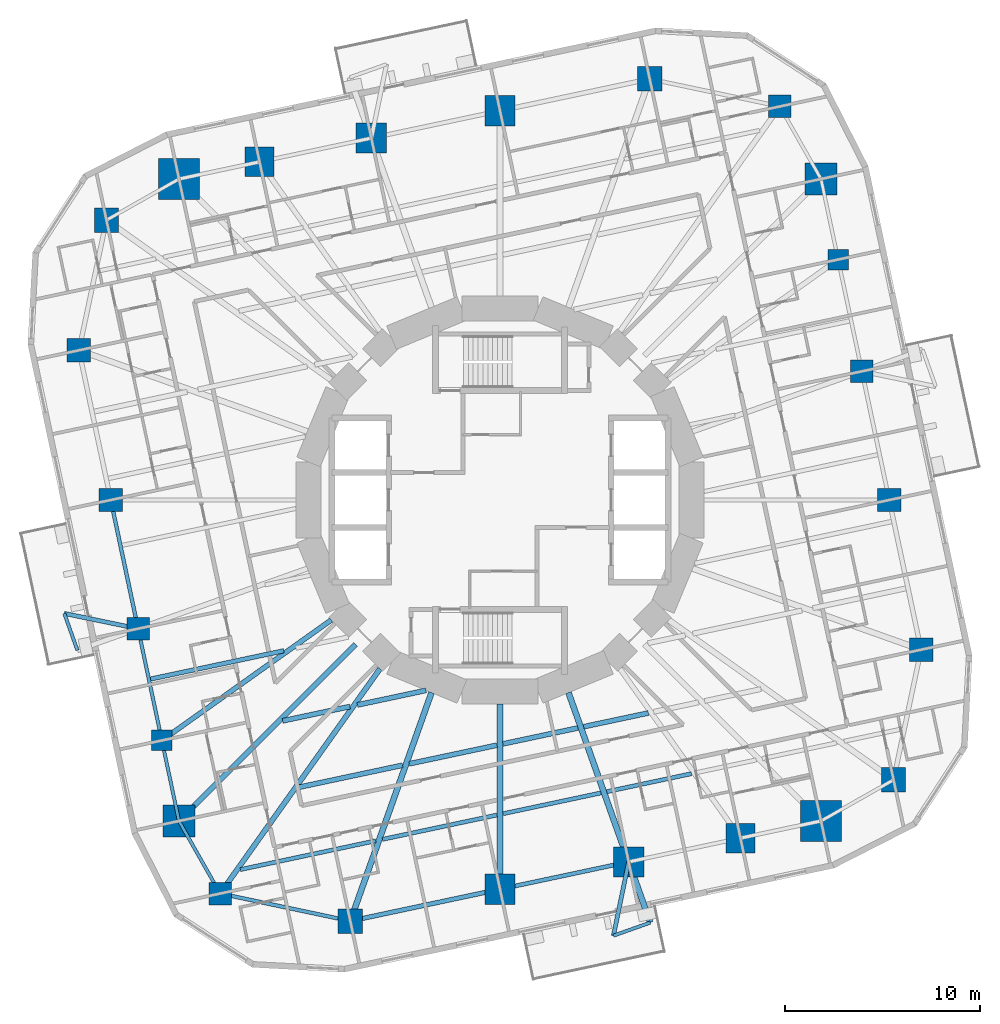
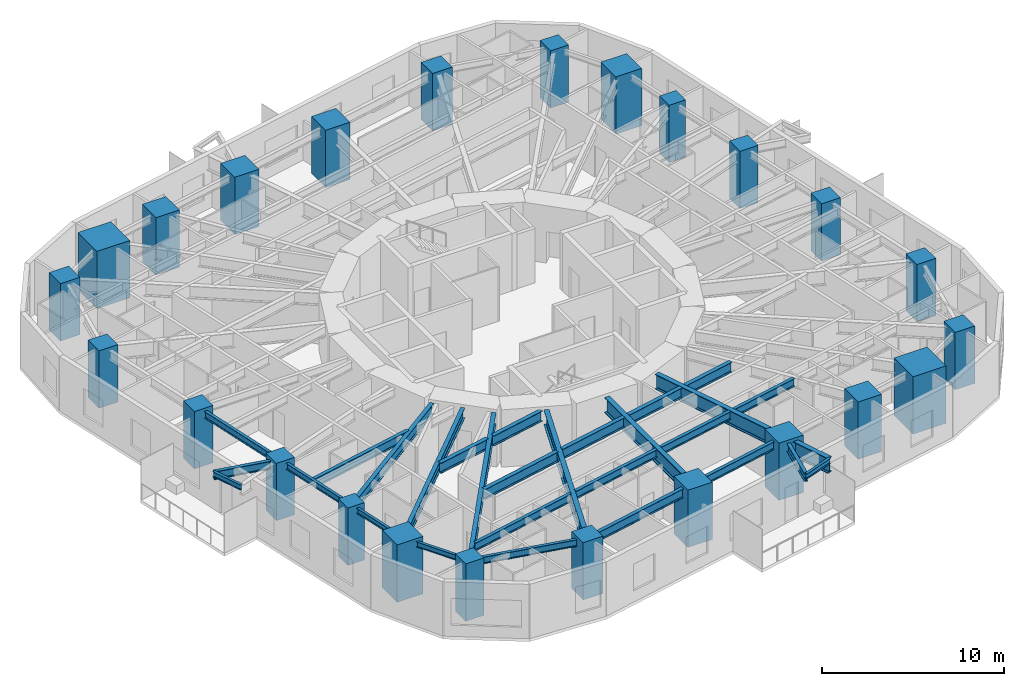
# One storey, part 1 of 14: 28 beams, 24 columns.
"""IFC4 building model written with IfcOpenShell, lengths in metres."""

from ifc_helpers import new_model, si_unit, direction, frame, origin, origin_2d, place, context, subcontext, project, spatial, rectangle, i_section, extrude, material, material_profile, profile_set, type_object, element, save


model = new_model("IFC4")

# Units and contexts
model_context = context("Model", 3, precision=1e-05, world=origin(), true_north=direction((0.0, 1.0)))
body_context = subcontext(model_context, "Body", "Model", "MODEL_VIEW")
ifc_project = project(units=[si_unit("LENGTHUNIT", "METRE"), si_unit("AREAUNIT", "SQUARE_METRE"), si_unit("VOLUMEUNIT", "CUBIC_METRE"), si_unit("PLANEANGLEUNIT", "RADIAN"), si_unit("MASSUNIT", "GRAM", prefix="KILO")], contexts=[model_context])

# Site, building, storey
site_placement = place(None, origin())
site = spatial("IfcSite", under=ifc_project, at=site_placement, CompositionType="ELEMENT")
building_placement = place(site_placement, origin())
building = spatial("IfcBuilding", under=site, at=building_placement, Name="Nakasero Lantern House", CompositionType="ELEMENT")
storey_placement = place(building_placement, frame((0.0, 0.0, 120.39990234375)))
storey = spatial("IfcBuildingStorey", under=building, at=storey_placement, Name="L29", CompositionType="ELEMENT", Elevation=120.39990234375)

# Columns
ifc_material_1 = material(Name="Concrete C50/60", Category="concrete")
ifc_material_profile_1 = material_profile(ifc_material_1, rectangle(XDim=1.64990234375, YDim=1.64990234375, at=origin_2d()), Name="RC 1650x1650")
ifc_profile_set_1 = profile_set([ifc_material_profile_1], Name="Concrete C50/60")
column_type_1 = type_object("IfcColumnType", Name="Mega column RC 1650x1650 C50/60", PredefinedType="COLUMN", material=ifc_profile_set_1)
for number, where, z_axis, x_axis, name in (
    (1, (16.44091796875, 16.44091796875, 0.0), (0.0, 0.0, 1.0), (1.0, 0.0, 0.0), "Column B3-C06 L29"),
    (2, (-16.44091796875, -16.44091796875, 0.0), (0.0, 0.0, 1.0), (1.0, 0.0, 0.0), "Column B3-C18 L29"),
):
    element("IfcColumn", number, at=place(storey_placement, frame(where, z_axis=z_axis, x_axis=x_axis)), inside=storey, type_object=column_type_1, Name=name, PredefinedType="COLUMN", context=body_context, shape_type="SweptSolid", body=[
        extrude(rectangle(XDim=1.64990234375, YDim=1.64990234375, at=origin_2d()), origin(), (0.0, 0.0, 1.0), 3.85009765625),
    ])
ifc_material_2 = material(Name="Concrete C50/60", Category="concrete")
ifc_material_profile_2 = material_profile(ifc_material_2, rectangle(XDim=2.10009765625, YDim=2.10009765625, at=origin_2d()), Name="RC 2100x2100")
ifc_profile_set_2 = profile_set([ifc_material_profile_2], Name="Concrete C50/60")
column_type_2 = type_object("IfcColumnType", Name="Mega column RC 2100x2100 C50/60", PredefinedType="COLUMN", material=ifc_profile_set_2)
for number, where, z_axis, x_axis, name in (
    (3, (-16.44091796875, 16.44091796875, 0.0), (0.0, 0.0, 1.0), (1.0, 0.0, 0.0), "Column B3-C12 L29"),
    (4, (16.44091796875, -16.44091796875, 0.0), (0.0, 0.0, 1.0), (1.0, 0.0, 0.0), "Column B3-C24 L29"),
):
    element("IfcColumn", number, at=place(storey_placement, frame(where, z_axis=z_axis, x_axis=x_axis)), inside=storey, type_object=column_type_2, Name=name, PredefinedType="COLUMN", context=body_context, shape_type="SweptSolid", body=[
        extrude(rectangle(XDim=2.10009765625, YDim=2.10009765625, at=origin_2d()), origin(), (0.0, 0.0, 1.0), 3.85009765625),
    ])
ifc_material_3 = material(Name="Concrete C50/60", Category="concrete")
ifc_material_profile_3 = material_profile(ifc_material_3, rectangle(XDim=1.050048828125, YDim=1.050048828125, at=origin_2d()), Name="RC 1050x1050")
ifc_profile_set_3 = profile_set([ifc_material_profile_3], Name="Concrete C50/60")
column_type_3 = type_object("IfcColumnType", Name="Ring column RC 1050x1050 C50/60", PredefinedType="COLUMN", material=ifc_profile_set_3)
for number, where, z_axis, x_axis, name in (
    (5, (17.318115234375, 12.31494140625, 0.0), (0.0, 0.0, 1.0), (1.0, 0.0, 0.0), "Column B3-C05 L29"),
    (6, (-17.318115234375, -12.31494140625, 0.0), (0.0, 0.0, 1.0), (1.0, 0.0, 0.0), "Column B3-C17 L29"),
):
    element("IfcColumn", number, at=place(storey_placement, frame(where, z_axis=z_axis, x_axis=x_axis)), inside=storey, type_object=column_type_3, Name=name, PredefinedType="COLUMN", context=body_context, shape_type="SweptSolid", body=[
        extrude(rectangle(XDim=1.050048828125, YDim=1.050048828125, at=origin_2d()), origin(), (0.0, 0.0, 1.0), 3.85009765625),
    ])
ifc_material_4 = material(Name="Concrete C50/60", Category="concrete")
ifc_material_profile_4 = material_profile(ifc_material_4, rectangle(XDim=1.14990234375, YDim=1.14990234375, at=origin_2d()), Name="RC 1150x1150")
ifc_profile_set_4 = profile_set([ifc_material_profile_4], Name="Concrete C50/60")
column_type_4 = type_object("IfcColumnType", Name="Ring column RC 1150x1150 C50/60", PredefinedType="COLUMN", material=ifc_profile_set_4)
for number, where, z_axis, x_axis, name in (
    (7, (18.534912109375, 6.590087890625, 0.0), (0.0, 0.0, 1.0), (1.0, 0.0, 0.0), "Column B3-C04 L29"),
    (8, (14.33349609375, 20.15625, 0.0), (0.0, 0.0, 1.0), (1.0, 0.0, 0.0), "Column B3-C07 L29"),
    (9, (-18.534912109375, -6.590087890625, 0.0), (0.0, 0.0, 1.0), (1.0, 0.0, 0.0), "Column B3-C16 L29"),
    (10, (-14.33349609375, -20.15625, 0.0), (0.0, 0.0, 1.0), (1.0, 0.0, 0.0), "Column B3-C19 L29"),
):
    element("IfcColumn", number, at=place(storey_placement, frame(where, z_axis=z_axis, x_axis=x_axis)), inside=storey, type_object=column_type_4, Name=name, PredefinedType="COLUMN", context=body_context, shape_type="SweptSolid", body=[
        extrude(rectangle(XDim=1.14990234375, YDim=1.14990234375, at=origin_2d()), origin(), (0.0, 0.0, 1.0), 3.85009765625),
    ])
ifc_material_5 = material(Name="Concrete C50/60", Category="concrete")
ifc_material_profile_5 = material_profile(ifc_material_5, rectangle(XDim=1.199951171875, YDim=1.199951171875, at=origin_2d()), Name="RC 1200x1200")
ifc_profile_set_5 = profile_set([ifc_material_profile_5], Name="Concrete C50/60")
column_type_5 = type_object("IfcColumnType", Name="Ring column RC 1200x1200 C50/60", PredefinedType="COLUMN", material=ifc_profile_set_5)
for number, where, z_axis, x_axis, name in (
    (11, (21.5654296875, -7.667724609375, 0.0), (0.0, 0.0, 1.0), (1.0, 0.0, 0.0), "Column B3-C02 L29"),
    (12, (19.935546875, 0.0, 0.0), (0.0, 0.0, 1.0), (1.0, 0.0, 0.0), "Column B3-C03 L29"),
    (13, (-21.5654296875, 7.667724609375, 0.0), (0.0, 0.0, 1.0), (1.0, 0.0, 0.0), "Column B3-C14 L29"),
    (14, (-19.935546875, 0.0, 0.0), (0.0, 0.0, 1.0), (1.0, 0.0, 0.0), "Column B3-C15 L29"),
):
    element("IfcColumn", number, at=place(storey_placement, frame(where, z_axis=z_axis, x_axis=x_axis)), inside=storey, type_object=column_type_5, Name=name, PredefinedType="COLUMN", context=body_context, shape_type="SweptSolid", body=[
        extrude(rectangle(XDim=1.199951171875, YDim=1.199951171875, at=origin_2d()), origin(), (0.0, 0.0, 1.0), 3.85009765625),
    ])
ifc_material_6 = material(Name="Concrete C50/60", Category="concrete")
ifc_material_profile_6 = material_profile(ifc_material_6, rectangle(XDim=1.25, YDim=1.25, at=origin_2d()), Name="RC 1250x1250")
ifc_profile_set_6 = profile_set([ifc_material_profile_6], Name="Concrete C50/60")
column_type_6 = type_object("IfcColumnType", Name="Ring column RC 1250x1250 C50/60", PredefinedType="COLUMN", material=ifc_profile_set_6)
for number, where, z_axis, x_axis, name in (
    (15, (20.15625, -14.33349609375, 0.0), (0.0, 0.0, 1.0), (1.0, 0.0, 0.0), "Column B3-C01 L29"),
    (16, (7.667724609375, 21.5654296875, 0.0), (0.0, 0.0, 1.0), (1.0, 0.0, 0.0), "Column B3-C08 L29"),
    (17, (-20.15625, 14.33349609375, 0.0), (0.0, 0.0, 1.0), (1.0, 0.0, 0.0), "Column B3-C13 L29"),
    (18, (-7.667724609375, -21.5654296875, 0.0), (0.0, 0.0, 1.0), (1.0, 0.0, 0.0), "Column B3-C20 L29"),
):
    element("IfcColumn", number, at=place(storey_placement, frame(where, z_axis=z_axis, x_axis=x_axis)), inside=storey, type_object=column_type_6, Name=name, PredefinedType="COLUMN", context=body_context, shape_type="SweptSolid", body=[
        extrude(rectangle(XDim=1.25, YDim=1.25, at=origin_2d()), origin(), (0.0, 0.0, 1.0), 3.85009765625),
    ])
ifc_material_7 = material(Name="Concrete C50/60", Category="concrete")
ifc_material_profile_7 = material_profile(ifc_material_7, rectangle(XDim=1.5, YDim=1.5, at=origin_2d()), Name="RC 1500x1500")
ifc_profile_set_7 = profile_set([ifc_material_profile_7], Name="Concrete C50/60")
column_type_7 = type_object("IfcColumnType", Name="Ring column RC 1500x1500 C50/60", PredefinedType="COLUMN", material=ifc_profile_set_7)
for number, where, z_axis, x_axis, name in (
    (19, (-12.31494140625, 17.318115234375, 0.0), (0.0, 0.0, 1.0), (1.0, 0.0, 0.0), "Column B3-C11 L29"),
    (20, (12.31494140625, -17.318115234375, 0.0), (0.0, 0.0, 1.0), (1.0, 0.0, 0.0), "Column B3-C23 L29"),
):
    element("IfcColumn", number, at=place(storey_placement, frame(where, z_axis=z_axis, x_axis=x_axis)), inside=storey, type_object=column_type_7, Name=name, PredefinedType="COLUMN", context=body_context, shape_type="SweptSolid", body=[
        extrude(rectangle(XDim=1.5, YDim=1.5, at=origin_2d()), origin(), (0.0, 0.0, 1.0), 3.85009765625),
    ])
ifc_material_8 = material(Name="Concrete C50/60", Category="concrete")
ifc_material_profile_8 = material_profile(ifc_material_8, rectangle(XDim=1.550048828125, YDim=1.550048828125, at=origin_2d()), Name="RC 1550x1550")
ifc_profile_set_8 = profile_set([ifc_material_profile_8], Name="Concrete C50/60")
column_type_8 = type_object("IfcColumnType", Name="Ring column RC 1550x1550 C50/60", PredefinedType="COLUMN", material=ifc_profile_set_8)
for number, where, z_axis, x_axis, name in (
    (21, (0.0, 19.935546875, 0.0), (0.0, 0.0, 1.0), (1.0, 0.0, 0.0), "Column B3-C09 L29"),
    (22, (-6.590087890625, 18.534912109375, 0.0), (0.0, 0.0, 1.0), (1.0, 0.0, 0.0), "Column B3-C10 L29"),
    (23, (0.0, -19.935546875, 0.0), (0.0, 0.0, 1.0), (1.0, 0.0, 0.0), "Column B3-C21 L29"),
    (24, (6.590087890625, -18.534912109375, 0.0), (0.0, 0.0, 1.0), (1.0, 0.0, 0.0), "Column B3-C22 L29"),
):
    element("IfcColumn", number, at=place(storey_placement, frame(where, z_axis=z_axis, x_axis=x_axis)), inside=storey, type_object=column_type_8, Name=name, PredefinedType="COLUMN", context=body_context, shape_type="SweptSolid", body=[
        extrude(rectangle(XDim=1.550048828125, YDim=1.550048828125, at=origin_2d()), origin(), (0.0, 0.0, 1.0), 3.85009765625),
    ])

# Beams
ifc_material_9 = material(Name="Steel S355", Category="steel")
ifc_material_profile_9 = material_profile(ifc_material_9, i_section(OverallWidth=0.2138671875, OverallDepth=0.549072265625, WebThickness=0.0146484375, FlangeThickness=0.023681640625, FilletRadius=0.0126953125, at=origin_2d()), Name="UB 533x210x138")
ifc_profile_set_9 = profile_set([ifc_material_profile_9], Name="Steel S355")
beam_type_1 = type_object("IfcBeamType", Name="Balcony splay beam UB 533x210x138", PredefinedType="BEAM", material=ifc_profile_set_9)
for number, where, z_axis, x_axis, name in (
    (25, (-18.534912109375, -6.590087890625, 3.37548828125), (-0.979420272605, 0.201831438605, 0.0), (-0.201831438605, -0.979420272605, 0.0), "Balcony splay beam L30 B3-C16A"),
    (26, (6.590087890625, -18.534912109375, 3.37548828125), (-0.201831438605, -0.979420272605, 0.0), (0.979420272605, -0.201831438605, 0.0), "Balcony splay beam L30 B3-C22A"),
):
    element("IfcBeam", number, at=place(storey_placement, frame(where, z_axis=z_axis, x_axis=x_axis)), inside=storey, type_object=beam_type_1, Name=name, PredefinedType="BEAM", context=body_context, shape_type="SweptSolid", body=[
        extrude(i_section(OverallWidth=0.2138671875, OverallDepth=0.549072265625, WebThickness=0.0146484375, FlangeThickness=0.023681640625, FilletRadius=0.0126953125, at=origin_2d()), origin(), (0.0, 0.0, 1.0), 3.858642578125),
    ])
ifc_material_10 = material(Name="Steel S355", Category="steel")
ifc_material_profile_10 = material_profile(ifc_material_10, i_section(OverallWidth=0.17138671875, OverallDepth=0.35498046875, WebThickness=0.00732421875, FlangeThickness=0.011474609375, FilletRadius=0.01025390625, at=origin_2d()), Name="UB 356x171x51")
ifc_profile_set_10 = profile_set([ifc_material_profile_10], Name="Steel S355")
beam_type_2 = type_object("IfcBeamType", Name="Balcony tie beam UB 356x171x51", PredefinedType="BEAM", material=ifc_profile_set_10)
for number, where, z_axis, x_axis, name in (
    (27, (-22.314208984375, -5.811279296875, 3.47265625), (0.335060236487, -0.942196708721, 0.0), (0.942196708721, 0.335060236487, 0.0), "Balcony tie beam L30 B3-C16"),
    (28, (5.811279296875, -22.314208984375, 3.47265625), (0.942196708721, 0.335060236487, 0.0), (-0.335060236487, 0.942196708721, 0.0), "Balcony tie beam L30 B3-C22"),
):
    element("IfcBeam", number, at=place(storey_placement, frame(where, z_axis=z_axis, x_axis=x_axis)), inside=storey, type_object=beam_type_2, Name=name, PredefinedType="BEAM", context=body_context, shape_type="SweptSolid", body=[
        extrude(i_section(OverallWidth=0.17138671875, OverallDepth=0.35498046875, WebThickness=0.00732421875, FlangeThickness=0.011474609375, FilletRadius=0.01025390625, at=origin_2d()), origin(), (0.0, 0.0, 1.0), 2.000244140625),
    ])
ifc_material_11 = material(Name="Steel S355", Category="steel")
ifc_material_profile_11 = material_profile(ifc_material_11, i_section(OverallWidth=0.2099609375, OverallDepth=0.53662109375, WebThickness=0.0107421875, FlangeThickness=0.017333984375, FilletRadius=0.0126953125, at=origin_2d()), Name="UB 533x210x101")
ifc_profile_set_11 = profile_set([ifc_material_profile_11], Name="Steel S355")
beam_type_3 = type_object("IfcBeamType", Name="Infill beam UB 533x210x101", PredefinedType="JOIST", material=ifc_profile_set_11)
beam_1_placement = place(storey_placement, frame((-13.29638671875, -18.927978515625, 3.3818359375), z_axis=(0.978149480204, 0.207902848411, 0.0), x_axis=(-0.207902848411, 0.978149480204, 0.0)))
element("IfcBeam", 29, at=beam_1_placement, inside=storey, type_object=beam_type_3, Name="Infill beam L30 03.1", PredefinedType="JOIST", context=body_context, shape_type="SweptSolid", body=[
    extrude(i_section(OverallWidth=0.2099609375, OverallDepth=0.53662109375, WebThickness=0.0107421875, FlangeThickness=0.017333984375, FilletRadius=0.0126953125, at=origin_2d()), origin(), (0.0, 0.0, 1.0), 7.085693359375),
])
beam_2_placement = place(storey_placement, frame((-6.02099609375, -17.381591796875, 3.3818359375), z_axis=(0.978149438519, 0.207903044531, 0.0), x_axis=(-0.207903044531, 0.978149438519, 0.0)))
element("IfcBeam", 30, at=beam_2_placement, inside=storey, type_object=beam_type_3, Name="Infill beam L30 03.2", PredefinedType="JOIST", context=body_context, shape_type="SweptSolid", body=[
    extrude(i_section(OverallWidth=0.2099609375, OverallDepth=0.53662109375, WebThickness=0.0107421875, FlangeThickness=0.017333984375, FilletRadius=0.0126953125, at=origin_2d()), origin(), (0.0, 0.0, 1.0), 5.99951171875),
])
beam_3_placement = place(storey_placement, frame((0.152587890625, -16.0693359375, 3.3818359375), z_axis=(0.978153894908, 0.207882076853, 0.0), x_axis=(-0.207882076853, 0.978153894908, 0.0)))
element("IfcBeam", 31, at=beam_3_placement, inside=storey, type_object=beam_type_3, Name="Infill beam L30 03.3", PredefinedType="JOIST", context=body_context, shape_type="SweptSolid", body=[
    extrude(i_section(OverallWidth=0.2099609375, OverallDepth=0.53662109375, WebThickness=0.0107421875, FlangeThickness=0.017333984375, FilletRadius=0.0126953125, at=origin_2d()), origin(), (0.0, 0.0, 1.0), 5.13330078125),
])
beam_4_placement = place(storey_placement, frame((5.471923828125, -14.938720703125, 3.3818359375), z_axis=(0.978149057111, 0.207904838982, 0.0), x_axis=(-0.207904838982, 0.978149057111, 0.0)))
element("IfcBeam", 32, at=beam_4_placement, inside=storey, type_object=beam_type_3, Name="Infill beam L30 03.4", PredefinedType="JOIST", context=body_context, shape_type="SweptSolid", body=[
    extrude(i_section(OverallWidth=0.2099609375, OverallDepth=0.53662109375, WebThickness=0.0107421875, FlangeThickness=0.017333984375, FilletRadius=0.0126953125, at=origin_2d()), origin(), (0.0, 0.0, 1.0), 4.435302734375),
])
ifc_material_12 = material(Name="Steel S355", Category="steel")
ifc_material_profile_12 = material_profile(ifc_material_12, i_section(OverallWidth=0.2275390625, OverallDepth=0.6025390625, WebThickness=0.010498046875, FlangeThickness=0.014892578125, FilletRadius=0.0126953125, at=origin_2d()), Name="UB 610x229x101")
ifc_profile_set_12 = profile_set([ifc_material_profile_12], Name="Steel S355")
beam_type_4 = type_object("IfcBeamType", Name="Infill beam UB 610x229x101", PredefinedType="JOIST", material=ifc_profile_set_12)
beam_5_placement = place(storey_placement, frame((-17.895263671875, -9.171142578125, 3.348876953125), z_axis=(0.978143535939, 0.207930813255, 0.0), x_axis=(-0.207930813255, 0.978143535939, 0.0)))
element("IfcBeam", 33, at=beam_5_placement, inside=storey, type_object=beam_type_4, Name="Infill beam L30 06.1", PredefinedType="JOIST", context=body_context, shape_type="SweptSolid", body=[
    extrude(i_section(OverallWidth=0.2275390625, OverallDepth=0.6025390625, WebThickness=0.010498046875, FlangeThickness=0.014892578125, FilletRadius=0.0126953125, at=origin_2d()), origin(), (0.0, 0.0, 1.0), 6.9697265625),
])
ifc_material_13 = material(Name="Steel S355", Category="steel")
ifc_material_profile_13 = material_profile(ifc_material_13, i_section(OverallWidth=0.253662109375, OverallDepth=0.68359375, WebThickness=0.012451171875, FlangeThickness=0.01904296875, FilletRadius=0.01513671875, at=origin_2d()), Name="UB 686x254x140")
ifc_profile_set_13 = profile_set([ifc_material_profile_13], Name="Steel S355")
beam_type_5 = type_object("IfcBeamType", Name="Infill beam UB 686x254x140", PredefinedType="JOIST", material=ifc_profile_set_13)
beam_6_placement = place(storey_placement, frame((-10.298828125, -14.712646484375, 3.308349609375), z_axis=(0.978155764637, 0.207873278962, 0.0), x_axis=(-0.207873278962, 0.978155764637, 0.0)))
element("IfcBeam", 34, at=beam_6_placement, inside=storey, type_object=beam_type_5, Name="Infill beam L30 04.1", PredefinedType="JOIST", context=body_context, shape_type="SweptSolid", body=[
    extrude(i_section(OverallWidth=0.253662109375, OverallDepth=0.68359375, WebThickness=0.012451171875, FlangeThickness=0.01904296875, FilletRadius=0.01513671875, at=origin_2d()), origin(), (0.0, 0.0, 1.0), 5.428466796875),
])
beam_7_placement = place(storey_placement, frame((-4.644775390625, -13.510986328125, 3.308349609375), z_axis=(0.978148041119, 0.207909618957, 0.0), x_axis=(-0.207909618957, 0.978148041119, 0.0)))
element("IfcBeam", 35, at=beam_7_placement, inside=storey, type_object=beam_type_5, Name="Infill beam L30 04.2", PredefinedType="JOIST", context=body_context, shape_type="SweptSolid", body=[
    extrude(i_section(OverallWidth=0.253662109375, OverallDepth=0.68359375, WebThickness=0.012451171875, FlangeThickness=0.01904296875, FilletRadius=0.01513671875, at=origin_2d()), origin(), (0.0, 0.0, 1.0), 4.592529296875),
])
beam_8_placement = place(storey_placement, frame((0.152587890625, -12.4912109375, 3.308349609375), z_axis=(0.978145250615, 0.20792274695, 0.0), x_axis=(-0.20792274695, 0.978145250615, 0.0)))
element("IfcBeam", 36, at=beam_8_placement, inside=storey, type_object=beam_type_5, Name="Infill beam L30 04.3", PredefinedType="JOIST", context=body_context, shape_type="SweptSolid", body=[
    extrude(i_section(OverallWidth=0.253662109375, OverallDepth=0.68359375, WebThickness=0.012451171875, FlangeThickness=0.01904296875, FilletRadius=0.01513671875, at=origin_2d()), origin(), (0.0, 0.0, 1.0), 3.924072265625),
])
beam_9_placement = place(storey_placement, frame((4.2890625, -11.612060546875, 3.308349609375), z_axis=(0.978143084163, 0.207932938478, 0.0), x_axis=(-0.207932938478, 0.978143084163, 0.0)))
element("IfcBeam", 37, at=beam_9_placement, inside=storey, type_object=beam_type_5, Name="Infill beam L30 04.4", PredefinedType="JOIST", context=body_context, shape_type="SweptSolid", body=[
    extrude(i_section(OverallWidth=0.253662109375, OverallDepth=0.68359375, WebThickness=0.012451171875, FlangeThickness=0.01904296875, FilletRadius=0.01513671875, at=origin_2d()), origin(), (0.0, 0.0, 1.0), 3.385009765625),
])
ifc_material_14 = material(Name="Steel S355", Category="steel")
ifc_material_profile_14 = material_profile(ifc_material_14, i_section(OverallWidth=0.255859375, OverallDepth=0.69287109375, WebThickness=0.014404296875, FlangeThickness=0.023681640625, FilletRadius=0.01513671875, at=origin_2d()), Name="UB 686x254x170")
ifc_profile_set_14 = profile_set([ifc_material_profile_14], Name="Steel S355")
beam_type_6 = type_object("IfcBeamType", Name="Infill beam UB 686x254x170", PredefinedType="JOIST", material=ifc_profile_set_14)
beam_10_placement = place(storey_placement, frame((-11.13232421875, -11.311767578125, 3.3037109375), z_axis=(0.97814493323, 0.20792424004, 0.0), x_axis=(-0.20792424004, 0.97814493323, 0.0)))
element("IfcBeam", 38, at=beam_10_placement, inside=storey, type_object=beam_type_6, Name="Infill beam L30 05.1", PredefinedType="JOIST", context=body_context, shape_type="SweptSolid", body=[
    extrude(i_section(OverallWidth=0.255859375, OverallDepth=0.69287109375, WebThickness=0.014404296875, FlangeThickness=0.023681640625, FilletRadius=0.01513671875, at=origin_2d()), origin(), (0.0, 0.0, 1.0), 3.5224609375),
])
beam_11_placement = place(storey_placement, frame((-7.30126953125, -10.497314453125, 3.3037109375), z_axis=(0.978149176892, 0.207904275439, 0.0), x_axis=(-0.207904275439, 0.978149176892, 0.0)))
element("IfcBeam", 39, at=beam_11_placement, inside=storey, type_object=beam_type_6, Name="Infill beam L30 05.2", PredefinedType="JOIST", context=body_context, shape_type="SweptSolid", body=[
    extrude(i_section(OverallWidth=0.255859375, OverallDepth=0.69287109375, WebThickness=0.014404296875, FlangeThickness=0.023681640625, FilletRadius=0.01513671875, at=origin_2d()), origin(), (0.0, 0.0, 1.0), 3.59228515625),
])
ifc_material_15 = material(Name="Steel S355", Category="steel")
ifc_material_profile_15 = material_profile(ifc_material_15, i_section(OverallWidth=0.300048828125, OverallDepth=0.989990234375, WebThickness=0.0166015625, FlangeThickness=0.031005859375, FilletRadius=0.030029296875, at=origin_2d()), Name="UB 1016x305x272")
ifc_profile_set_15 = profile_set([ifc_material_profile_15], Name="Steel S355")
beam_type_7 = type_object("IfcBeamType", Name="Primary beam UB 1016x305x272, span 12 to 15 m", PredefinedType="BEAM", material=ifc_profile_set_15)
beam_12_placement = place(storey_placement, frame((-7.667724609375, -21.5654296875, 3.155029296875), z_axis=(0.335011995103, 0.942213862739, 0.0), x_axis=(-0.942213862739, 0.335011995103, 0.0)))
element("IfcBeam", 40, at=beam_12_placement, inside=storey, type_object=beam_type_7, Name="Primary beam L30 B3-C20", PredefinedType="BEAM", context=body_context, shape_type="SweptSolid", body=[
    extrude(i_section(OverallWidth=0.300048828125, OverallDepth=0.989990234375, WebThickness=0.0166015625, FlangeThickness=0.031005859375, FilletRadius=0.030029296875, at=origin_2d()), origin(), (0.0, 0.0, 1.0), 12.41650390625),
])
ifc_material_16 = material(Name="Steel S355", Category="steel")
ifc_material_profile_16 = material_profile(ifc_material_16, i_section(OverallWidth=0.302001953125, OverallDepth=1.008056640625, WebThickness=0.02099609375, FlangeThickness=0.0400390625, FilletRadius=0.030029296875, at=origin_2d()), Name="UB 1016x305x349")
ifc_profile_set_16 = profile_set([ifc_material_profile_16], Name="Steel S355")
beam_type_8 = type_object("IfcBeamType", Name="Primary beam UB 1016x305x349, span 9 to 12 m", PredefinedType="BEAM", material=ifc_profile_set_16)
beam_13_placement = place(storey_placement, frame((7.69580078125, -21.64404296875, 3.14599609375), z_axis=(-0.335020841845, 0.942210717159, 0.0), x_axis=(-0.942210717159, -0.335020841845, 0.0)))
element("IfcBeam", 41, at=beam_13_placement, inside=storey, type_object=beam_type_8, Name="Primary beam L30 B3-C22", PredefinedType="BEAM", context=body_context, shape_type="SweptSolid", body=[
    extrude(i_section(OverallWidth=0.302001953125, OverallDepth=1.008056640625, WebThickness=0.02099609375, FlangeThickness=0.0400390625, FilletRadius=0.030029296875, at=origin_2d()), origin(), (0.0, 0.0, 1.0), 12.5),
])
ifc_material_17 = material(Name="Steel S355", Category="steel")
ifc_material_profile_17 = material_profile(ifc_material_17, i_section(OverallWidth=0.305419921875, OverallDepth=1.026123046875, WebThickness=0.02685546875, FlangeThickness=0.049072265625, FilletRadius=0.030029296875, at=origin_2d()), Name="UB 1016x305x437")
ifc_profile_set_17 = profile_set([ifc_material_profile_17], Name="Steel S355")
beam_type_9 = type_object("IfcBeamType", Name="Primary beam UB 1016x305x437, span 9 to 12 m", PredefinedType="BEAM", material=ifc_profile_set_17)
beam_14_placement = place(storey_placement, frame((0.0, -19.935546875, 3.136962890625), z_axis=(0.0, 1.0, 0.0), x_axis=(-1.0, 0.0, 0.0)))
element("IfcBeam", 42, at=beam_14_placement, inside=storey, type_object=beam_type_9, Name="Primary beam L30 B3-C21", PredefinedType="BEAM", context=body_context, shape_type="SweptSolid", body=[
    extrude(i_section(OverallWidth=0.305419921875, OverallDepth=1.026123046875, WebThickness=0.02685546875, FlangeThickness=0.049072265625, FilletRadius=0.030029296875, at=origin_2d()), origin(), (0.0, 0.0, 1.0), 9.477783203125),
])
ifc_material_18 = material(Name="Steel S355", Category="steel")
ifc_material_profile_18 = material_profile(ifc_material_18, i_section(OverallWidth=0.253662109375, OverallDepth=0.68359375, WebThickness=0.012451171875, FlangeThickness=0.01904296875, FilletRadius=0.01513671875, at=origin_2d()), Name="UB 686x254x140")
ifc_profile_set_18 = profile_set([ifc_material_profile_18], Name="Steel S355")
beam_type_10 = type_object("IfcBeamType", Name="Primary beam UB 686x254x140, span 12 to 15 m", PredefinedType="BEAM", material=ifc_profile_set_18)
beam_15_placement = place(storey_placement, frame((-16.44091796875, -16.44091796875, 3.308349609375), z_axis=(0.707106781187, 0.707106781187, 0.0), x_axis=(-0.707106781187, 0.707106781187, 0.0)))
element("IfcBeam", 43, at=beam_15_placement, inside=storey, type_object=beam_type_10, Name="Primary beam L30 B3-C18", PredefinedType="BEAM", context=body_context, shape_type="SweptSolid", body=[
    extrude(i_section(OverallWidth=0.253662109375, OverallDepth=0.68359375, WebThickness=0.012451171875, FlangeThickness=0.01904296875, FilletRadius=0.01513671875, at=origin_2d()), origin(), (0.0, 0.0, 1.0), 12.793212890625),
])
ifc_material_19 = material(Name="Steel S355", Category="steel")
ifc_material_profile_19 = material_profile(ifc_material_19, i_section(OverallWidth=0.253662109375, OverallDepth=0.68359375, WebThickness=0.012451171875, FlangeThickness=0.01904296875, FilletRadius=0.01513671875, at=origin_2d()), Name="UB 686x254x140")
ifc_profile_set_19 = profile_set([ifc_material_profile_19], Name="Steel S355")
beam_type_11 = type_object("IfcBeamType", Name="Primary beam UB 686x254x140, span 9 to 12 m", PredefinedType="BEAM", material=ifc_profile_set_19)
beam_16_placement = place(storey_placement, frame((-17.318115234375, -12.31494140625, 3.308349609375), z_axis=(0.814957491022, 0.579520739774, 0.0), x_axis=(-0.579520739774, 0.814957491022, 0.0)))
element("IfcBeam", 44, at=beam_16_placement, inside=storey, type_object=beam_type_11, Name="Primary beam L30 B3-C17", PredefinedType="BEAM", context=body_context, shape_type="SweptSolid", body=[
    extrude(i_section(OverallWidth=0.253662109375, OverallDepth=0.68359375, WebThickness=0.012451171875, FlangeThickness=0.01904296875, FilletRadius=0.01513671875, at=origin_2d()), origin(), (0.0, 0.0, 1.0), 10.64453125),
])
ifc_material_20 = material(Name="Steel S355", Category="steel")
ifc_material_profile_20 = material_profile(ifc_material_20, i_section(OverallWidth=0.2666015625, OverallDepth=0.76220703125, WebThickness=0.014404296875, FlangeThickness=0.021484375, FilletRadius=0.0166015625, at=origin_2d()), Name="UB 762x267x173")
ifc_profile_set_20 = profile_set([ifc_material_profile_20], Name="Steel S355")
beam_type_12 = type_object("IfcBeamType", Name="Primary beam UB 762x267x173, span 12 to 15 m", PredefinedType="BEAM", material=ifc_profile_set_20)
beam_17_placement = place(storey_placement, frame((-14.33349609375, -20.15625, 3.26904296875), z_axis=(0.57953679421, 0.814946074386, 0.0), x_axis=(-0.814946074386, 0.57953679421, 0.0)))
element("IfcBeam", 45, at=beam_17_placement, inside=storey, type_object=beam_type_12, Name="Primary beam L30 B3-C19", PredefinedType="BEAM", context=body_context, shape_type="SweptSolid", body=[
    extrude(i_section(OverallWidth=0.2666015625, OverallDepth=0.76220703125, WebThickness=0.014404296875, FlangeThickness=0.021484375, FilletRadius=0.0166015625, at=origin_2d()), origin(), (0.0, 0.0, 1.0), 14.127197265625),
])
ifc_material_21 = material(Name="Steel S355", Category="steel")
ifc_material_profile_21 = material_profile(ifc_material_21, i_section(OverallWidth=0.17138671875, OverallDepth=0.35498046875, WebThickness=0.00732421875, FlangeThickness=0.011474609375, FilletRadius=0.01025390625, at=origin_2d()), Name="UB 356x171x51")
ifc_profile_set_21 = profile_set([ifc_material_profile_21], Name="Steel S355")
beam_type_13 = type_object("IfcBeamType", Name="Ring beam UB 356x171x51", PredefinedType="BEAM", material=ifc_profile_set_21)
beam_18_placement = place(storey_placement, frame((-17.318115234375, -12.31494140625, 3.47265625), z_axis=(0.207955665195, -0.978138252658, 0.0), x_axis=(0.978138252658, 0.207955665195, 0.0)))
element("IfcBeam", 46, at=beam_18_placement, inside=storey, type_object=beam_type_13, Name="Ring beam L30 B3-C17", PredefinedType="BEAM", context=body_context, shape_type="SweptSolid", body=[
    extrude(i_section(OverallWidth=0.17138671875, OverallDepth=0.35498046875, WebThickness=0.00732421875, FlangeThickness=0.011474609375, FilletRadius=0.01025390625, at=origin_2d()), origin(), (0.0, 0.0, 1.0), 4.21826171875),
])
beam_19_placement = place(storey_placement, frame((-16.44091796875, -16.44091796875, 3.47265625), z_axis=(0.493378832737, -0.869814536213, 0.0), x_axis=(0.869814536213, 0.493378832737, 0.0)))
element("IfcBeam", 47, at=beam_19_placement, inside=storey, type_object=beam_type_13, Name="Ring beam L30 B3-C18", PredefinedType="BEAM", context=body_context, shape_type="SweptSolid", body=[
    extrude(i_section(OverallWidth=0.17138671875, OverallDepth=0.35498046875, WebThickness=0.00732421875, FlangeThickness=0.011474609375, FilletRadius=0.01025390625, at=origin_2d()), origin(), (0.0, 0.0, 1.0), 4.271484375),
])
ifc_material_22 = material(Name="Steel S355", Category="steel")
ifc_material_profile_22 = material_profile(ifc_material_22, i_section(OverallWidth=0.177978515625, OverallDepth=0.406494140625, WebThickness=0.0078125, FlangeThickness=0.0126953125, FilletRadius=0.01025390625, at=origin_2d()), Name="UB 406x178x60")
ifc_profile_set_22 = profile_set([ifc_material_profile_22], Name="Steel S355")
beam_type_14 = type_object("IfcBeamType", Name="Ring beam UB 406x178x60", PredefinedType="BEAM", material=ifc_profile_set_22)
beam_20_placement = place(storey_placement, frame((-18.534912109375, -6.590087890625, 3.44677734375), z_axis=(0.207902159541, -0.978149626621, 0.0), x_axis=(0.978149626621, 0.207902159541, 0.0)))
element("IfcBeam", 48, at=beam_20_placement, inside=storey, type_object=beam_type_14, Name="Ring beam L30 B3-C16", PredefinedType="BEAM", context=body_context, shape_type="SweptSolid", body=[
    extrude(i_section(OverallWidth=0.177978515625, OverallDepth=0.406494140625, WebThickness=0.0078125, FlangeThickness=0.0126953125, FilletRadius=0.01025390625, at=origin_2d()), origin(), (0.0, 0.0, 1.0), 5.852783203125),
])
ifc_material_23 = material(Name="Steel S355", Category="steel")
ifc_material_profile_23 = material_profile(ifc_material_23, i_section(OverallWidth=0.19140625, OverallDepth=0.4599609375, WebThickness=0.010009765625, FlangeThickness=0.01611328125, FilletRadius=0.01025390625, at=origin_2d()), Name="UB 457x191x82")
ifc_profile_set_23 = profile_set([ifc_material_profile_23], Name="Steel S355")
beam_type_15 = type_object("IfcBeamType", Name="Ring beam UB 457x191x82", PredefinedType="BEAM", material=ifc_profile_set_23)
beam_21_placement = place(storey_placement, frame((-19.935546875, 0.0, 3.420166015625), z_axis=(0.20789299389, -0.978151574702, 0.0), x_axis=(0.978151574702, 0.20789299389, 0.0)))
element("IfcBeam", 49, at=beam_21_placement, inside=storey, type_object=beam_type_15, Name="Ring beam L30 B3-C15", PredefinedType="BEAM", context=body_context, shape_type="SweptSolid", body=[
    extrude(i_section(OverallWidth=0.19140625, OverallDepth=0.4599609375, WebThickness=0.010009765625, FlangeThickness=0.01611328125, FilletRadius=0.01025390625, at=origin_2d()), origin(), (0.0, 0.0, 1.0), 6.7373046875),
])
beam_22_placement = place(storey_placement, frame((-14.33349609375, -20.15625, 3.420166015625), z_axis=(0.978376066473, -0.206833925052, 0.0), x_axis=(0.206833925052, 0.978376066473, 0.0)))
element("IfcBeam", 50, at=beam_22_placement, inside=storey, type_object=beam_type_15, Name="Ring beam L30 B3-C19", PredefinedType="BEAM", context=body_context, shape_type="SweptSolid", body=[
    extrude(i_section(OverallWidth=0.19140625, OverallDepth=0.4599609375, WebThickness=0.010009765625, FlangeThickness=0.01611328125, FilletRadius=0.01025390625, at=origin_2d()), origin(), (0.0, 0.0, 1.0), 6.81298828125),
])
ifc_material_24 = material(Name="Steel S355", Category="steel")
ifc_material_profile_24 = material_profile(ifc_material_24, i_section(OverallWidth=0.2099609375, OverallDepth=0.53662109375, WebThickness=0.0107421875, FlangeThickness=0.017333984375, FilletRadius=0.0126953125, at=origin_2d()), Name="UB 533x210x101")
ifc_profile_set_24 = profile_set([ifc_material_profile_24], Name="Steel S355")
beam_type_16 = type_object("IfcBeamType", Name="Ring beam UB 533x210x101", PredefinedType="BEAM", material=ifc_profile_set_24)
beam_23_placement = place(storey_placement, frame((0.0, -19.935546875, 3.3818359375), z_axis=(0.978151574702, 0.20789299389, 0.0), x_axis=(-0.20789299389, 0.978151574702, 0.0)))
element("IfcBeam", 51, at=beam_23_placement, inside=storey, type_object=beam_type_16, Name="Ring beam L30 B3-C21", PredefinedType="BEAM", context=body_context, shape_type="SweptSolid", body=[
    extrude(i_section(OverallWidth=0.2099609375, OverallDepth=0.53662109375, WebThickness=0.0107421875, FlangeThickness=0.017333984375, FilletRadius=0.0126953125, at=origin_2d()), origin(), (0.0, 0.0, 1.0), 6.7373046875),
])
ifc_material_25 = material(Name="Steel S355", Category="steel")
ifc_material_profile_25 = material_profile(ifc_material_25, i_section(OverallWidth=0.22900390625, OverallDepth=0.6123046875, WebThickness=0.011962890625, FlangeThickness=0.01953125, FilletRadius=0.0126953125, at=origin_2d()), Name="UB 610x229x125")
ifc_profile_set_25 = profile_set([ifc_material_profile_25], Name="Steel S355")
beam_type_17 = type_object("IfcBeamType", Name="Ring beam UB 610x229x125", PredefinedType="BEAM", material=ifc_profile_set_25)
beam_24_placement = place(storey_placement, frame((-7.667724609375, -21.5654296875, 3.343994140625), z_axis=(0.978146105516, 0.207918725139, 0.0), x_axis=(-0.207918725139, 0.978146105516, 0.0)))
element("IfcBeam", 52, at=beam_24_placement, inside=storey, type_object=beam_type_17, Name="Ring beam L30 B3-C20", PredefinedType="BEAM", context=body_context, shape_type="SweptSolid", body=[
    extrude(i_section(OverallWidth=0.22900390625, OverallDepth=0.6123046875, WebThickness=0.011962890625, FlangeThickness=0.01953125, FilletRadius=0.0126953125, at=origin_2d()), origin(), (0.0, 0.0, 1.0), 7.839111328125),
])

save(model, "model.ifc")
